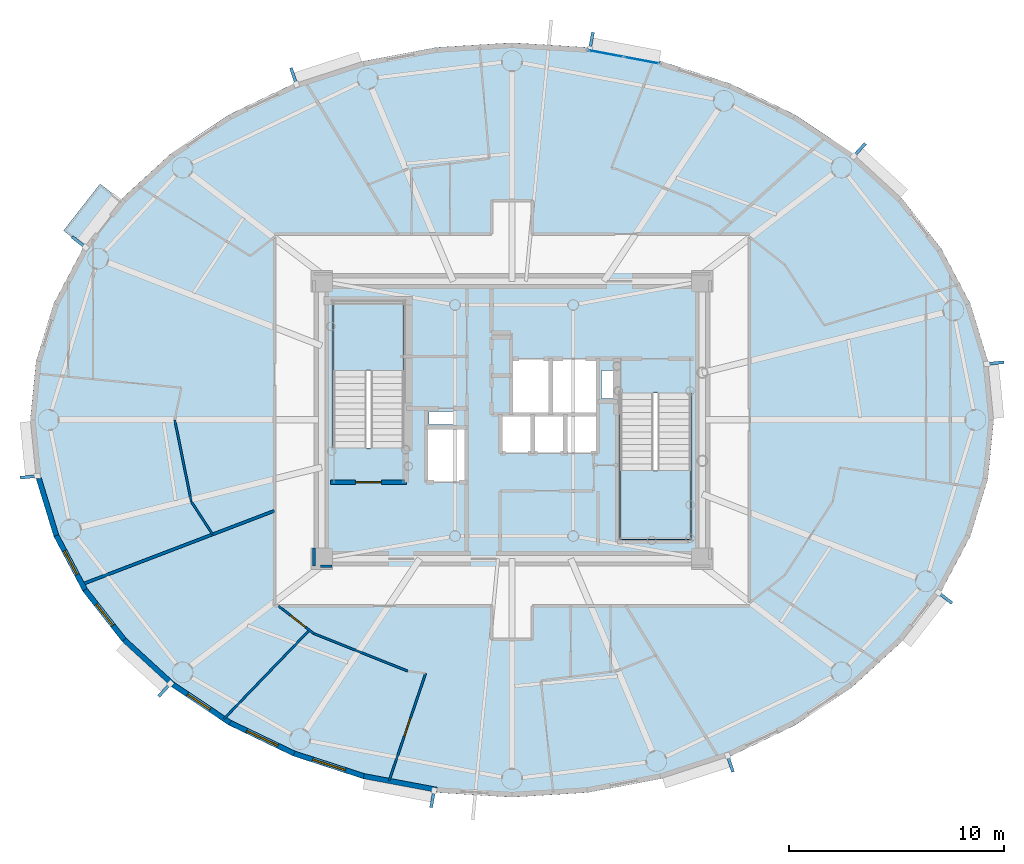
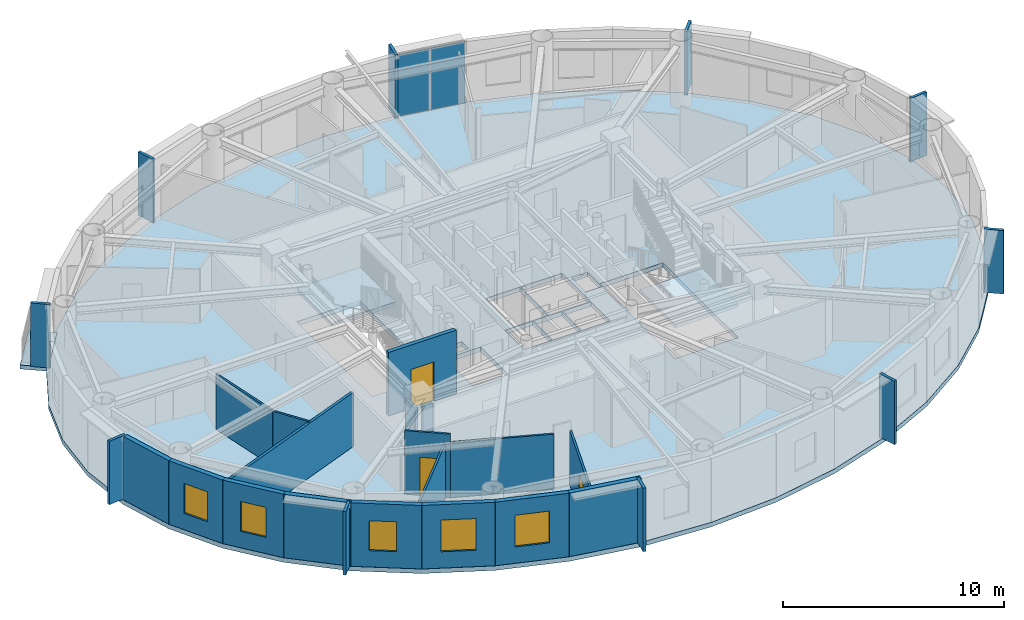
# One storey, part 5 of 17: 18 walls, 12 plates, 5 windows, 4 slabs, 3 doors, 8 openings, 3 elements without a shape of their own.
"""IFC4 building model written with IfcOpenShell, lengths in metres."""

from ifc_helpers import new_model, si_unit, direction, frame, frame_2d, origin, origin_2d, place, context, subcontext, project, spatial, polyline, rectangle, outline, extrude, source, transform, mapped, material, layer, layer_set, type_object, element, fill, aggregate, save


model = new_model("IFC4")

# Units and contexts
model_context = context("Model", 3, precision=1e-05, world=origin(), true_north=direction((0.0, 1.0)))
body_context = subcontext(model_context, "Body", "Model", "MODEL_VIEW")
ifc_project = project(units=[si_unit("LENGTHUNIT", "METRE"), si_unit("AREAUNIT", "SQUARE_METRE"), si_unit("VOLUMEUNIT", "CUBIC_METRE"), si_unit("PLANEANGLEUNIT", "RADIAN"), si_unit("MASSUNIT", "GRAM", prefix="KILO")], contexts=[model_context])

# Site, building, storey
site_placement = place(None, origin())
site = spatial("IfcSite", under=ifc_project, at=site_placement, CompositionType="ELEMENT")
building_placement = place(site_placement, origin())
building = spatial("IfcBuilding", under=site, at=building_placement, Name="Linh Dai School and Residence Tower", CompositionType="ELEMENT")
storey_placement = place(building_placement, frame((0.0, 0.0, 284.25)))
storey = spatial("IfcBuildingStorey", under=building, at=storey_placement, Name="L70", CompositionType="ELEMENT", Elevation=284.25)

# Slabs
ifc_material_1 = material(Name="Concrete B45 (C35/45)", Category="concrete")
ifc_layer_1 = layer(ifc_material_1, 0.219970703125)
ifc_layer_set_1 = layer_set([ifc_layer_1], Name="Concrete B45 (C35/45)")
slab_type_1 = type_object("IfcSlabType", Name="SLB-BALC-220", PredefinedType="FLOOR", material=ifc_layer_set_1)
slab_1_placement = place(storey_placement, frame((0.0, 0.0, -0.219970703125)))
element("IfcSlab", 1, at=slab_1_placement, inside=storey, type_object=slab_type_1, Name="L70 Sliding Balcony Slab 17", PredefinedType="FLOOR", context=body_context, shape_type="SweptSolid", body=[
    extrude(outline(polyline([(16.17236328125, 35.001220703125), (17.87255859375, 37.173828125), (16.848876953125, 37.974853515625), (15.148681640625, 35.802490234375), (16.17236328125, 35.001220703125)])), origin(), (0.0, 0.0, 1.0), 0.219970703125),
])
ifc_layer_2 = layer(ifc_material_1, 0.25)
ifc_layer_set_2 = layer_set([ifc_layer_2], Name="Concrete B45 (C35/45)")
slab_type_2 = type_object("IfcSlabType", Name="SLB-FLR250", PredefinedType="FLOOR", material=ifc_layer_set_2)
slab_2_placement = place(storey_placement, frame((0.0, 0.0, -0.25)))
element("IfcSlab", 2, at=slab_2_placement, inside=storey, type_object=slab_type_2, Name="L70 Composite Structural Floor Slab", PredefinedType="FLOOR", context=body_context, shape_type="SweptSolid", body=[
    extrude(outline(polyline([(58.39990234375, 27.0), (58.124267578125, 29.743896484375), (57.3037109375, 32.420166015625), (55.95849609375, 34.962890625), (54.1220703125, 37.309814453125), (51.839111328125, 39.402587890625), (49.16650390625, 41.190185546875), (46.16943359375, 42.628173828125), (42.921875, 43.681640625), (39.504150390625, 44.323974609375), (36.0, 44.5400390625), (32.495849609375, 44.323974609375), (29.078125, 43.681640625), (25.83056640625, 42.628173828125), (22.83349609375, 41.190185546875), (20.160888671875, 39.402587890625), (17.8779296875, 37.309814453125), (16.04150390625, 34.962890625), (14.6962890625, 32.420166015625), (13.875732421875, 29.743896484375), (13.60009765625, 27.0), (13.875732421875, 24.256103515625), (14.6962890625, 21.579833984375), (16.04150390625, 19.037109375), (17.8779296875, 16.690185546875), (20.160888671875, 14.597412109375), (22.83349609375, 12.809814453125), (25.83056640625, 11.371826171875), (29.078125, 10.318359375), (32.495849609375, 9.676025390625), (36.0, 9.4599609375), (39.504150390625, 9.676025390625), (42.921875, 10.318359375), (46.16943359375, 11.371826171875), (49.16650390625, 12.809814453125), (51.839111328125, 14.597412109375), (54.1220703125, 16.690185546875), (55.95849609375, 19.037109375), (57.3037109375, 21.579833984375), (58.124267578125, 24.256103515625), (58.39990234375, 27.0)]), holes=[polyline([(30.97998046875, 25.699951171875), (30.97998046875, 32.5), (27.679931640625, 32.5), (27.679931640625, 25.699951171875), (30.97998046875, 25.699951171875)]), polyline([(41.02001953125, 28.25), (41.02001953125, 21.449951171875), (44.320068359375, 21.449951171875), (44.320068359375, 28.25), (41.02001953125, 28.25)]), polyline([(35.97998046875, 27.280029296875), (37.77001953125, 27.280029296875), (37.77001953125, 29.820068359375), (35.97998046875, 29.820068359375), (35.97998046875, 27.280029296875)]), polyline([(32.030029296875, 24.1298828125), (33.8701171875, 24.1298828125), (33.8701171875, 26.6201171875), (32.030029296875, 26.6201171875), (32.030029296875, 24.1298828125)]), polyline([(37.830078125, 27.280029296875), (39.969970703125, 27.280029296875), (39.969970703125, 29.820068359375), (37.830078125, 29.820068359375), (37.830078125, 27.280029296875)]), polyline([(35.47998046875, 25.47998046875), (36.929931640625, 25.47998046875), (36.929931640625, 27.219970703125), (35.47998046875, 27.219970703125), (35.47998046875, 25.47998046875)]), polyline([(36.989990234375, 25.47998046875), (38.449951171875, 25.47998046875), (38.449951171875, 27.219970703125), (36.989990234375, 27.219970703125), (36.989990234375, 25.47998046875)]), polyline([(38.510009765625, 25.47998046875), (39.969970703125, 25.47998046875), (39.969970703125, 27.219970703125), (38.510009765625, 27.219970703125), (38.510009765625, 25.47998046875)]), polyline([(40.14990234375, 28.0), (40.14990234375, 29.300048828125), (41.0, 29.300048828125), (41.0, 28.280029296875), (40.989990234375, 28.280029296875), (40.989990234375, 28.0), (40.14990234375, 28.0)]), polyline([(32.14990234375, 26.800048828125), (33.35009765625, 26.800048828125), (33.35009765625, 27.39990234375), (32.14990234375, 27.39990234375), (32.14990234375, 26.800048828125)])]), origin(), (0.0, 0.0, 1.0), 0.25),
])

# Stair, slab
stair_type = type_object("IfcStairType", Name="ST-DOG-1550-R1442", PredefinedType="HALF_TURN_STAIR", material=ifc_material_1)
stair_1_placement = place(storey_placement, origin())
stair_1 = element("IfcStair", 3, at=stair_1_placement, inside=storey, type_object=stair_type, Name="L70 Core Smokeproof Exit Stair ST1", PredefinedType="HALF_TURN_STAIR")
ifc_layer_3 = layer(ifc_material_1, 0.199951171875)
ifc_layer_set_3 = layer_set([ifc_layer_3], Name="Concrete B45 (C35/45)")
slab_type_3 = type_object("IfcSlabType", Name="SLB-ST-LANDING-200", PredefinedType="LANDING", material=ifc_layer_set_3)
slab_3_placement = place(storey_placement, frame((0.0, 0.0, 1.675048828125)))
slab_3 = element("IfcSlab", 4, at=slab_3_placement, type_object=slab_type_3, Name="ST1 landing 1", PredefinedType="LANDING", context=body_context, shape_type="SweptSolid", body=[
    extrude(outline(polyline([(30.97998046875, 29.300048828125), (30.97998046875, 32.5), (27.679931640625, 32.5), (27.679931640625, 29.300048828125), (30.97998046875, 29.300048828125)])), origin(), (0.0, 0.0, 1.0), 0.199951171875),
])
aggregate(stair_1, [slab_3])

stair_2_placement = place(storey_placement, origin())
stair_2 = element("IfcStair", 5, at=stair_2_placement, inside=storey, type_object=stair_type, Name="L70 Core Smokeproof Exit Stair ST2", PredefinedType="HALF_TURN_STAIR")
slab_4_placement = place(storey_placement, frame((0.0, 0.0, 1.675048828125)))
slab_4 = element("IfcSlab", 6, at=slab_4_placement, type_object=slab_type_3, Name="ST2 landing 1", PredefinedType="LANDING", context=body_context, shape_type="SweptSolid", body=[
    extrude(outline(polyline([(41.02001953125, 24.64990234375), (41.02001953125, 21.449951171875), (44.320068359375, 21.449951171875), (44.320068359375, 24.64990234375), (41.02001953125, 24.64990234375)])), origin(), (0.0, 0.0, 1.0), 0.199951171875),
])
aggregate(stair_2, [slab_4])

# Plates
ifc_material_2 = material(Name="Precast Concrete B45 (C35/45)", Category="concrete")
ifc_layer_4 = layer(ifc_material_2, 0.139892578125)
ifc_layer_set_4 = layer_set([ifc_layer_4], Name="Precast Concrete B45 (C35/45)")
plate_type_1 = type_object("IfcPlateType", Name="FIN-TC-900x140", PredefinedType="USERDEFINED", material=ifc_layer_set_4)
shared_shape_1 = source(origin(), body_context, "Body", "SweptSolid", [
    extrude(rectangle(XDim=0.89990234375, YDim=0.139892578125, at=origin_2d()), origin(), (0.0, 0.0, 1.0), 3.5),
])
for number, where, z_axis, x_axis, name in (
    (7, (58.421630859375, 29.640625, 0.0), (0.0, 0.0, 1.0), (0.994986629598, 0.100008034283, 0.0), "L70 Precast Terracotta Radial Fin 01"),
    (8, (52.127685546875, 39.525390625, 0.0), (0.0, 0.0, 1.0), (0.67577730889, 0.737105846394, 0.0), "L70 Precast Terracotta Radial Fin 05"),
    (9, (39.682373046875, 44.580810546875, 0.0), (0.0, 0.0, 1.0), (0.184751197452, 0.982785325002, 0.0), "L70 Precast Terracotta Radial Fin 09"),
    (10, (25.864501953125, 42.939208984375, 0.0), (0.0, 0.0, 1.0), (-0.308518805176, 0.951218243545, 0.0), "L70 Precast Terracotta Radial Fin 13"),
    (11, (15.897216796875, 35.241943359375, 0.0), (0.0, 0.0, 1.0), (-0.78750300393, 0.616310813471, 0.0), "L70 Precast Terracotta Radial Fin 17"),
    (12, (13.578369140625, 24.359375, 0.0), (0.0, 0.0, 1.0), (-0.994986629598, -0.100008034283, 0.0), "L70 Precast Terracotta Radial Fin 21"),
    (13, (19.872314453125, 14.474609375, 0.0), (0.0, 0.0, 1.0), (-0.675779074535, -0.737104227651, 0.0), "L70 Precast Terracotta Radial Fin 25"),
    (14, (32.317626953125, 9.419189453125, 0.0), (0.0, 0.0, 1.0), (-0.184751197452, -0.982785325002, 0.0), "L70 Precast Terracotta Radial Fin 29"),
    (15, (46.135498046875, 11.060791015625, 0.0), (0.0, 0.0, 1.0), (0.308518805176, -0.951218243545, 0.0), "L70 Precast Terracotta Radial Fin 33"),
    (16, (56.102783203125, 18.758056640625, 0.0), (0.0, 0.0, 1.0), (0.78750300393, -0.616310813471, 0.0), "L70 Precast Terracotta Radial Fin 37"),
):
    element("IfcPlate", number, at=place(storey_placement, frame(where, z_axis=z_axis, x_axis=x_axis)), inside=storey, type_object=plate_type_1, Name=name, ObjectType="RADIAL FIN", PredefinedType="USERDEFINED", context=body_context, shape_type="MappedRepresentation", body=[
        mapped(shared_shape_1, transform((0.0, 0.0, 0.0), x_axis=(1.0, 0.0, 0.0), y_axis=(0.0, 1.0, 0.0), z_axis=(0.0, 0.0, 1.0), scale=1.0)),
    ])

# Curtain wall, plates
ifc_material_3 = material(Name="Aluminium Anodised Curtain Wall", Category="aluminium")
ifc_layer_5 = layer(ifc_material_3, 0.14990234375)
ifc_layer_set_5 = layer_set([ifc_layer_5], Name="Aluminium Anodised Curtain Wall")
curtain_wall_type = type_object("IfcCurtainWallType", Name="CW-SYS-4", PredefinedType="USERDEFINED", material=ifc_layer_set_5)
curtain_wall_placement = place(storey_placement, origin())
curtain_wall = element("IfcCurtainWall", 17, at=curtain_wall_placement, inside=storey, type_object=curtain_wall_type, Name="L70 CW4 Curtain Wall 09", ObjectType="RIBBON CURTAIN WALL", PredefinedType="USERDEFINED")
ifc_material_4 = material(Name="Double Low-E Insulated Glazing", Category="glass")
ifc_layer_6 = layer(ifc_material_4, 0.02587890625)
ifc_layer_set_6 = layer_set([ifc_layer_6], Name="Double Low-E Insulated Glazing")
plate_type_2 = type_object("IfcPlateType", Name="CW-SYS-4-PAN", PredefinedType="CURTAIN_PANEL", material=ifc_layer_set_6)
shared_shape_2 = source(origin(), body_context, "Body", "SweptSolid", [
    extrude(rectangle(XDim=1.653076171875, YDim=0.02587890625, at=origin_2d()), origin(), (0.0, 0.0, 1.0), 3.39599609375),
])
plate_1_placement = place(storey_placement, frame((40.35205078125, 44.03759765625, 0.052001953125), z_axis=(0.0, 0.0, 1.0), x_axis=(0.982785325002, -0.184751197452, 0.0)))
plate_1 = element("IfcPlate", 18, at=plate_1_placement, type_object=plate_type_2, Name="CW4 panel 1.1", PredefinedType="CURTAIN_PANEL", context=body_context, shape_type="MappedRepresentation", body=[
    mapped(shared_shape_2, transform((0.0, 0.0, 0.0), x_axis=(1.0, 0.0, 0.0), y_axis=(0.0, 1.0, 0.0), z_axis=(0.0, 0.0, 1.0), scale=1.0)),
])
plate_2_placement = place(storey_placement, frame((42.02783203125, 43.72265625, 0.052001953125), z_axis=(0.0, 0.0, 1.0), x_axis=(0.982785325002, -0.184751197452, 0.0)))
plate_2 = element("IfcPlate", 19, at=plate_2_placement, type_object=plate_type_2, Name="CW4 panel 2.1", PredefinedType="CURTAIN_PANEL", context=body_context, shape_type="MappedRepresentation", body=[
    mapped(shared_shape_2, transform((0.0, 0.0, 0.0), x_axis=(1.0, 0.0, 0.0), y_axis=(0.0, 1.0, 0.0), z_axis=(0.0, 0.0, 1.0), scale=1.0)),
])
aggregate(curtain_wall, [plate_1, plate_2])

# Wall
ifc_layer_7 = layer(ifc_material_2, 0.239990234375)
ifc_layer_set_7 = layer_set([ifc_layer_7], Name="Precast Concrete B45 (C35/45)")
wall_type_1 = type_object("IfcWallType", Name="EW-TC-240", PredefinedType="SOLIDWALL", material=ifc_layer_set_7)
wall_1_placement = place(storey_placement, frame((14.811767578125, 21.627685546875, 0.0), z_axis=(0.0, 0.0, 1.0), x_axis=(-0.2931213403, 0.956075248012, 0.0)))
element("IfcWall", 20, at=wall_1_placement, inside=storey, type_object=wall_type_1, Name="L70 Terracotta Exterior Wall 22", PredefinedType="SOLIDWALL", context=body_context, shape_type="SweptSolid", body=[
    extrude(rectangle(XDim=2.775146484375, YDim=0.239990234375, at=frame_2d((1.3876953125, 0.0))), origin(), (0.0, 0.0, 1.0), 3.5),
])

# Wall, opening, window
wall_2_placement = place(storey_placement, frame((16.146240234375, 19.105224609375, 0.0), z_axis=(0.0, 0.0, 1.0), x_axis=(-0.467628269026, 0.883925224218, 0.0)))
wall_2 = element("IfcWall", 21, at=wall_2_placement, inside=storey, type_object=wall_type_1, Name="L70 Terracotta Exterior Wall 23", PredefinedType="SOLIDWALL", context=body_context, shape_type="SweptSolid", body=[
    extrude(rectangle(XDim=2.853759765625, YDim=0.239990234375, at=frame_2d((1.4267578125, 0.0))), origin(), (0.0, 0.0, 1.0), 3.5),
])
opening_1_placement = place(wall_2_placement, frame((0.802001953125, 0.0, 0.89990234375)))
opening_1 = element("IfcOpeningElement", 22, at=opening_1_placement, cuts=wall_2, Name="Opening W3", PredefinedType="OPENING", context=body_context, shape_type="SweptSolid", body=[
    extrude(rectangle(XDim=1.25, YDim=1.64990234375, at=origin_2d()), frame((0.625, 0.1298828125, 0.824951171875), z_axis=(0.0, -1.0, 0.0), x_axis=(1.0, 0.0, 0.0)), (0.0, 0.0, 1.0), 0.260009765625),
])
window_type_1 = type_object("IfcWindowType", Name="WN-RES-1250x1650", PartitioningType="SINGLE_PANEL", PredefinedType="WINDOW", material=ifc_material_4)
shared_shape_3 = source(origin(), body_context, "Body", "SweptSolid", [
    extrude(rectangle(XDim=1.25, YDim=1.64990234375, at=origin_2d()), frame((0.625, 0.030029296875, 0.824951171875), z_axis=(0.0, -1.0, 0.0), x_axis=(1.0, 0.0, 0.0)), (0.0, 0.0, 1.0), 0.06005859375),
])
window_1_placement = place(opening_1_placement, origin())
window_1 = element("IfcWindow", 23, at=window_1_placement, inside=storey, type_object=window_type_1, Name="L70 Dwelling Window U7002-BD2", OverallHeight=1.64990234375, OverallWidth=1.25, PartitioningType="SINGLE_PANEL", PredefinedType="WINDOW", context=body_context, shape_type="MappedRepresentation", body=[
    mapped(shared_shape_3, transform((0.0, 0.0, 0.0), x_axis=(1.0, 0.0, 0.0), y_axis=(0.0, 1.0, 0.0), z_axis=(0.0, 0.0, 1.0), scale=1.0)),
])
fill(opening_1, window_1)

wall_3_placement = place(storey_placement, frame((17.9697265625, 16.775390625, 0.0), z_axis=(0.0, 0.0, 1.0), x_axis=(-0.616337186556, 0.787482363275, 0.0)))
wall_3 = element("IfcWall", 24, at=wall_3_placement, inside=storey, type_object=wall_type_1, Name="L70 Terracotta Exterior Wall 24", PredefinedType="SOLIDWALL", context=body_context, shape_type="SweptSolid", body=[
    extrude(rectangle(XDim=2.95849609375, YDim=0.239990234375, at=frame_2d((1.479248046875, 0.0))), origin(), (0.0, 0.0, 1.0), 3.5),
])
opening_2_placement = place(wall_3_placement, frame((0.85400390625, 0.0, 0.89990234375)))
opening_2 = element("IfcOpeningElement", 25, at=opening_2_placement, cuts=wall_3, Name="Opening W3", PredefinedType="OPENING", context=body_context, shape_type="SweptSolid", body=[
    extrude(rectangle(XDim=1.25, YDim=1.64990234375, at=origin_2d()), frame((0.625, 0.1298828125, 0.824951171875), z_axis=(0.0, -1.0, 0.0), x_axis=(1.0, 0.0, 0.0)), (0.0, 0.0, 1.0), 0.260009765625),
])
window_2_placement = place(opening_2_placement, origin())
window_2 = element("IfcWindow", 26, at=window_2_placement, inside=storey, type_object=window_type_1, Name="L70 Exterior Window 24.1", OverallHeight=1.64990234375, OverallWidth=1.25, PartitioningType="SINGLE_PANEL", PredefinedType="WINDOW", context=body_context, shape_type="MappedRepresentation", body=[
    mapped(shared_shape_3, transform((0.0, 0.0, 0.0), x_axis=(1.0, 0.0, 0.0), y_axis=(0.0, 1.0, 0.0), z_axis=(0.0, 0.0, 1.0), scale=1.0)),
])
fill(opening_2, window_2)

# Wall
wall_4_placement = place(storey_placement, frame((20.23779296875, 14.69580078125, 0.0), z_axis=(0.0, 0.0, 1.0), x_axis=(-0.737068506972, 0.675818034703, 0.0)))
element("IfcWall", 27, at=wall_4_placement, inside=storey, type_object=wall_type_1, Name="L70 Terracotta Exterior Wall 25", PredefinedType="SOLIDWALL", context=body_context, shape_type="SweptSolid", body=[
    extrude(rectangle(XDim=3.0771484375, YDim=0.239990234375, at=frame_2d((1.53857421875, 0.0))), origin(), (0.0, 0.0, 1.0), 3.5),
])

# Wall, opening, window
wall_5_placement = place(storey_placement, frame((22.8955078125, 12.91845703125, 0.0), z_axis=(0.0, 0.0, 1.0), x_axis=(-0.831250592635, 0.55589787933, 0.0)))
wall_5 = element("IfcWall", 28, at=wall_5_placement, inside=storey, type_object=wall_type_1, Name="L70 Terracotta Exterior Wall 26", PredefinedType="SOLIDWALL", context=body_context, shape_type="SweptSolid", body=[
    extrude(rectangle(XDim=3.197265625, YDim=0.239990234375, at=frame_2d((1.5986328125, 0.0))), origin(), (0.0, 0.0, 1.0), 3.5),
])
opening_3_placement = place(wall_5_placement, frame((1.12890625, 0.0, 0.89990234375)))
opening_3 = element("IfcOpeningElement", 29, at=opening_3_placement, cuts=wall_5, Name="Opening W3", PredefinedType="OPENING", context=body_context, shape_type="SweptSolid", body=[
    extrude(rectangle(XDim=1.25, YDim=1.64990234375, at=origin_2d()), frame((0.625, 0.1298828125, 0.824951171875), z_axis=(0.0, -1.0, 0.0), x_axis=(1.0, 0.0, 0.0)), (0.0, 0.0, 1.0), 0.260009765625),
])
window_3_placement = place(opening_3_placement, origin())
window_3 = element("IfcWindow", 30, at=window_3_placement, inside=storey, type_object=window_type_1, Name="L70 Exterior Window 26.1", OverallHeight=1.64990234375, OverallWidth=1.25, PartitioningType="SINGLE_PANEL", PredefinedType="WINDOW", context=body_context, shape_type="MappedRepresentation", body=[
    mapped(shared_shape_3, transform((0.0, 0.0, 0.0), x_axis=(1.0, 0.0, 0.0), y_axis=(0.0, 1.0, 0.0), z_axis=(0.0, 0.0, 1.0), scale=1.0)),
])
fill(opening_3, window_3)

wall_6_placement = place(storey_placement, frame((25.876953125, 11.48779296875, 0.0), z_axis=(0.0, 0.0, 1.0), x_axis=(-0.901573741254, 0.43262546051, 0.0)))
wall_6 = element("IfcWall", 31, at=wall_6_placement, inside=storey, type_object=wall_type_1, Name="L70 Terracotta Exterior Wall 27", PredefinedType="SOLIDWALL", context=body_context, shape_type="SweptSolid", body=[
    extrude(rectangle(XDim=3.306884765625, YDim=0.239990234375, at=frame_2d((1.6533203125, 0.0))), origin(), (0.0, 0.0, 1.0), 3.5),
])
opening_4_placement = place(wall_6_placement, frame((0.853271484375, 0.0, 0.89990234375)))
opening_4 = element("IfcOpeningElement", 32, at=opening_4_placement, cuts=wall_6, Name="Opening W2", PredefinedType="OPENING", context=body_context, shape_type="SweptSolid", body=[
    extrude(rectangle(XDim=1.60009765625, YDim=1.75, at=origin_2d()), frame((0.800048828125, 0.1298828125, 0.875), z_axis=(0.0, -1.0, 0.0), x_axis=(1.0, 0.0, 0.0)), (0.0, 0.0, 1.0), 0.260009765625),
])
window_type_2 = type_object("IfcWindowType", Name="WN-RES-1600x1750", PartitioningType="DOUBLE_PANEL_VERTICAL", PredefinedType="WINDOW", material=ifc_material_4)
shared_shape_4 = source(origin(), body_context, "Body", "SweptSolid", [
    extrude(rectangle(XDim=1.60009765625, YDim=1.75, at=origin_2d()), frame((0.800048828125, 0.030029296875, 0.875), z_axis=(0.0, -1.0, 0.0), x_axis=(1.0, 0.0, 0.0)), (0.0, 0.0, 1.0), 0.06005859375),
])
window_4_placement = place(opening_4_placement, origin())
window_4 = element("IfcWindow", 33, at=window_4_placement, inside=storey, type_object=window_type_2, Name="L70 Exterior Window 27.1", OverallHeight=1.75, OverallWidth=1.60009765625, PartitioningType="DOUBLE_PANEL_VERTICAL", PredefinedType="WINDOW", context=body_context, shape_type="MappedRepresentation", body=[
    mapped(shared_shape_4, transform((0.0, 0.0, 0.0), x_axis=(1.0, 0.0, 0.0), y_axis=(0.0, 1.0, 0.0), z_axis=(0.0, 0.0, 1.0), scale=1.0)),
])
fill(opening_4, window_4)

wall_7_placement = place(storey_placement, frame((29.10888671875, 10.439697265625, 0.0), z_axis=(0.0, 0.0, 1.0), x_axis=(-0.95123136723, 0.308478339592, 0.0)))
wall_7 = element("IfcWall", 34, at=wall_7_placement, inside=storey, type_object=wall_type_1, Name="L70 Terracotta Exterior Wall 28", PredefinedType="SOLIDWALL", context=body_context, shape_type="SweptSolid", body=[
    extrude(rectangle(XDim=3.397705078125, YDim=0.239990234375, at=frame_2d((1.69873046875, 0.0))), origin(), (0.0, 0.0, 1.0), 3.5),
])
opening_5_placement = place(wall_7_placement, frame((0.898681640625, 0.0, 0.89990234375)))
opening_5 = element("IfcOpeningElement", 35, at=opening_5_placement, cuts=wall_7, Name="Opening W2", PredefinedType="OPENING", context=body_context, shape_type="SweptSolid", body=[
    extrude(rectangle(XDim=1.60009765625, YDim=1.75, at=origin_2d()), frame((0.800048828125, 0.1298828125, 0.875), z_axis=(0.0, -1.0, 0.0), x_axis=(1.0, 0.0, 0.0)), (0.0, 0.0, 1.0), 0.260009765625),
])
window_5_placement = place(opening_5_placement, origin())
window_5 = element("IfcWindow", 36, at=window_5_placement, inside=storey, type_object=window_type_2, Name="L70 Exterior Window 28.1", OverallHeight=1.75, OverallWidth=1.60009765625, PartitioningType="DOUBLE_PANEL_VERTICAL", PredefinedType="WINDOW", context=body_context, shape_type="MappedRepresentation", body=[
    mapped(shared_shape_4, transform((0.0, 0.0, 0.0), x_axis=(1.0, 0.0, 0.0), y_axis=(0.0, 1.0, 0.0), z_axis=(0.0, 0.0, 1.0), scale=1.0)),
])
fill(opening_5, window_5)

# Walls
wall_8_placement = place(storey_placement, frame((32.51123046875, 9.800048828125, 0.0), z_axis=(0.0, 0.0, 1.0), x_axis=(-0.982782655757, 0.184765395959, 0.0)))
element("IfcWall", 37, at=wall_8_placement, inside=storey, type_object=wall_type_1, Name="L70 Terracotta Exterior Wall 29", PredefinedType="SOLIDWALL", context=body_context, shape_type="SweptSolid", body=[
    extrude(rectangle(XDim=3.4619140625, YDim=0.239990234375, at=frame_2d((1.73095703125, 0.0))), origin(), (0.0, 0.0, 1.0), 3.5),
])
ifc_material_5 = material(Name="Autoclaved Aerated Concrete Blockwork", Category="masonry")
ifc_layer_8 = layer(ifc_material_5, 0.135009765625)
ifc_layer_set_8 = layer_set([ifc_layer_8], Name="Autoclaved Aerated Concrete Blockwork")
wall_type_2 = type_object("IfcWallType", Name="IW-CORR-135-EI90", PredefinedType="PARTITIONING", material=ifc_layer_set_8)
wall_9_placement = place(storey_placement, frame((16.0068359375, 19.35791015625, 0.0), z_axis=(0.0, 0.0, 1.0), x_axis=(0.934094110355, 0.35702687994, 0.0)))
element("IfcWall", 38, at=wall_9_placement, inside=storey, type_object=wall_type_2, Name="L70 Interior Partition Wall 003", PredefinedType="PARTITIONING", context=body_context, shape_type="SweptSolid", body=[
    extrude(rectangle(XDim=9.57421875, YDim=0.135009765625, at=frame_2d((4.787109375, 0.0))), origin(), (0.0, 0.0, 1.0), 2.985107421875),
])
wall_10_placement = place(storey_placement, frame((26.800048828125, 21.0400390625, 0.0), z_axis=(0.0, 0.0, 1.0), x_axis=(0.0, -1.0, 0.0)))
element("IfcWall", 39, at=wall_10_placement, inside=storey, type_object=wall_type_2, Name="L70 Interior Partition Wall 089", PredefinedType="PARTITIONING", context=body_context, shape_type="SweptSolid", body=[
    extrude(rectangle(XDim=0.840087890625, YDim=0.135009765625, at=frame_2d((0.419921875, 0.0))), origin(), (0.0, 0.0, 1.0), 3.034912109375),
])
wall_11_placement = place(storey_placement, frame((27.107421875, 20.199951171875, 0.0), z_axis=(0.0, 0.0, 1.0), x_axis=(1.0, 0.0, 0.0)))
element("IfcWall", 40, at=wall_11_placement, inside=storey, type_object=wall_type_2, Name="L70 Interior Partition Wall 090", PredefinedType="PARTITIONING", context=body_context, shape_type="SweptSolid", body=[
    extrude(rectangle(XDim=0.532470703125, YDim=0.135009765625, at=frame_2d((0.26611328125, 0.0))), origin(), (0.0, 0.0, 1.0), 3.034912109375),
])

# Wall, opening, door
ifc_layer_9 = layer(ifc_material_1, 0.199951171875)
ifc_layer_set_9 = layer_set([ifc_layer_9], Name="Concrete B45 (C35/45)")
wall_type_3 = type_object("IfcWallType", Name="IW-SHAFT-200-EI120", PredefinedType="PARTITIONING", material=ifc_layer_set_9)
wall_12_placement = place(storey_placement, frame((27.56005859375, 24.10009765625, 0.0), z_axis=(0.0, 0.0, 1.0), x_axis=(1.0, 0.0, 0.0)))
wall_12 = element("IfcWall", 41, at=wall_12_placement, inside=storey, type_object=wall_type_3, Name="L70 Interior Partition Wall 017", PredefinedType="PARTITIONING", context=body_context, shape_type="SweptSolid", body=[
    extrude(rectangle(XDim=3.5400390625, YDim=0.199951171875, at=frame_2d((1.77001953125, 0.0))), origin(), (0.0, 0.0, 1.0), 3.5),
])
opening_6_placement = place(wall_12_placement, frame((1.169921875, 0.0, 0.0)))
opening_6 = element("IfcOpeningElement", 42, at=opening_6_placement, cuts=wall_12, Name="Opening D01", PredefinedType="OPENING", context=body_context, shape_type="SweptSolid", body=[
    extrude(rectangle(XDim=1.199951171875, YDim=2.14990234375, at=origin_2d()), frame((0.60009765625, 0.10986328125, 1.074951171875), z_axis=(0.0, -1.0, 0.0), x_axis=(1.0, 0.0, 0.0)), (0.0, 0.0, 1.0), 0.219970703125),
])
ifc_material_6 = material(Name="Fire-Rated Steel Door Leaf", Category="steel")
door_type_1 = type_object("IfcDoorType", Name="DR-STAIR-1200x2150-FD90S", OperationType="NOTDEFINED", PredefinedType="DOOR", material=ifc_material_6)
shared_shape_5 = source(origin(), body_context, "Body", "SweptSolid", [
    extrude(rectangle(XDim=1.199951171875, YDim=2.14990234375, at=origin_2d()), frame((0.60009765625, 0.02490234375, 1.074951171875), z_axis=(0.0, -1.0, 0.0), x_axis=(1.0, 0.0, 0.0)), (0.0, 0.0, 1.0), 0.050048828125),
])
door_1_placement = place(opening_6_placement, origin())
door_1 = element("IfcDoor", 43, at=door_1_placement, inside=storey, type_object=door_type_1, Name="L70 Core Smokeproof Exit Stair ST1 Door", OperationType="SINGLE_SWING_RIGHT", OverallHeight=2.14990234375, OverallWidth=1.199951171875, PredefinedType="DOOR", context=body_context, shape_type="MappedRepresentation", body=[
    mapped(shared_shape_5, transform((0.0, 0.0, 0.0), x_axis=(1.0, 0.0, 0.0), y_axis=(0.0, 1.0, 0.0), z_axis=(0.0, 0.0, 1.0), scale=1.0)),
])
fill(opening_6, door_1)

# Walls
ifc_material_7 = material(Name="Gypsum Plasterboard Acoustic Stud Partition", Category="masonry")
ifc_layer_10 = layer(ifc_material_7, 0.10009765625)
ifc_layer_set_10 = layer_set([ifc_layer_10], Name="Gypsum Plasterboard Acoustic Stud Partition")
wall_type_4 = type_object("IfcWallType", Name="IW-UNIT-100", PredefinedType="PARTITIONING", material=ifc_layer_set_10)
wall_13_placement = place(storey_placement, frame((20.320068359375, 27.0, 0.0), z_axis=(0.0, 0.0, 1.0), x_axis=(0.198226068862, -0.980156327135, 0.0)))
element("IfcWall", 44, at=wall_13_placement, inside=storey, type_object=wall_type_4, Name="L70 Interior Partition Wall 007", PredefinedType="PARTITIONING", context=body_context, shape_type="SweptSolid", body=[
    extrude(rectangle(XDim=3.87109375, YDim=0.10009765625, at=frame_2d((1.935546875, 0.0))), origin(), (0.0, 0.0, 1.0), 3.034912109375),
])
wall_14_placement = place(storey_placement, frame((21.08740234375, 23.205810546875, 0.0), z_axis=(0.0, 0.0, 1.0), x_axis=(0.545384128846, -0.838186227519, 0.0)))
element("IfcWall", 45, at=wall_14_placement, inside=storey, type_object=wall_type_4, Name="L70 Interior Partition Wall 008", PredefinedType="PARTITIONING", context=body_context, shape_type="SweptSolid", body=[
    extrude(rectangle(XDim=1.821044921875, YDim=0.10009765625, at=frame_2d((0.91064453125, 0.0))), origin(), (0.0, 0.0, 1.0), 3.034912109375),
])
wall_15_placement = place(storey_placement, frame((22.607177734375, 13.105224609375, 0.0), z_axis=(0.0, 0.0, 1.0), x_axis=(0.693978480191, 0.71999574237, 0.0)))
element("IfcWall", 46, at=wall_15_placement, inside=storey, type_object=wall_type_4, Name="L70 Interior Partition Wall 009", PredefinedType="PARTITIONING", context=body_context, shape_type="SweptSolid", body=[
    extrude(rectangle(XDim=5.72412109375, YDim=0.10009765625, at=frame_2d((2.862060546875, 0.0))), origin(), (0.0, 0.0, 1.0), 2.985107421875),
])

# Wall, opening, door
wall_16_placement = place(storey_placement, frame((25.144775390625, 18.35009765625, 0.0), z_axis=(0.0, 0.0, 1.0), x_axis=(0.787326747019, -0.616535962803, 0.0)))
wall_16 = element("IfcWall", 47, at=wall_16_placement, inside=storey, type_object=wall_type_4, Name="L70 Interior Partition Wall 014", PredefinedType="PARTITIONING", context=body_context, shape_type="SweptSolid", body=[
    extrude(rectangle(XDim=2.081298828125, YDim=0.10009765625, at=frame_2d((1.04052734375, 0.0))), origin(), (0.0, 0.0, 1.0), 3.5),
])
opening_7_placement = place(wall_16_placement, frame((0.69775390625, 0.0, 0.0)))
opening_7 = element("IfcOpeningElement", 48, at=opening_7_placement, cuts=wall_16, Name="Opening D05", PredefinedType="OPENING", context=body_context, shape_type="SweptSolid", body=[
    extrude(rectangle(XDim=0.89990234375, YDim=2.10009765625, at=origin_2d()), frame((0.449951171875, 0.06005859375, 1.050048828125), z_axis=(0.0, -1.0, 0.0), x_axis=(1.0, 0.0, 0.0)), (0.0, 0.0, 1.0), 0.1201171875),
])
ifc_material_8 = material(Name="Engineered Timber Internal Door", Category="wood")
door_type_2 = type_object("IfcDoorType", Name="DR-INT-900x2100", OperationType="NOTDEFINED", PredefinedType="DOOR", material=ifc_material_8)
shared_shape_6 = source(origin(), body_context, "Body", "SweptSolid", [
    extrude(rectangle(XDim=0.89990234375, YDim=2.10009765625, at=origin_2d()), frame((0.449951171875, 0.02490234375, 1.050048828125), z_axis=(0.0, -1.0, 0.0), x_axis=(1.0, 0.0, 0.0)), (0.0, 0.0, 1.0), 0.050048828125),
])
door_2_placement = place(opening_7_placement, origin())
door_2 = element("IfcDoor", 49, at=door_2_placement, inside=storey, type_object=door_type_2, Name="L70 Apartment U7003 Principal Bedroom 1 Door", OperationType="SINGLE_SWING_LEFT", OverallHeight=2.10009765625, OverallWidth=0.89990234375, PredefinedType="DOOR", context=body_context, shape_type="MappedRepresentation", body=[
    mapped(shared_shape_6, transform((0.0, 0.0, 0.0), x_axis=(1.0, 0.0, 0.0), y_axis=(0.0, 1.0, 0.0), z_axis=(0.0, 0.0, 1.0), scale=1.0)),
])
fill(opening_7, door_2)

# Wall
wall_17_placement = place(storey_placement, frame((26.783447265625, 17.06689453125, 0.0), z_axis=(0.0, 0.0, 1.0), x_axis=(0.928809047774, -0.370558703544, 0.0)))
element("IfcWall", 50, at=wall_17_placement, inside=storey, type_object=wall_type_4, Name="L70 Interior Partition Wall 016", PredefinedType="PARTITIONING", context=body_context, shape_type="SweptSolid", body=[
    extrude(rectangle(XDim=4.7060546875, YDim=0.10009765625, at=frame_2d((2.35302734375, 0.0))), origin(), (0.0, 0.0, 1.0), 3.034912109375),
])

# Wall, opening, door
wall_18_placement = place(storey_placement, frame((30.281982421875, 10.2138671875, 0.0), z_axis=(0.0, 0.0, 1.0), x_axis=(0.322425759237, 0.946594754782, 0.0)))
wall_18 = element("IfcWall", 51, at=wall_18_placement, inside=storey, type_object=wall_type_4, Name="L70 Interior Partition Wall 019", PredefinedType="PARTITIONING", context=body_context, shape_type="SweptSolid", body=[
    extrude(rectangle(XDim=5.288330078125, YDim=0.10009765625, at=frame_2d((2.64404296875, 0.0))), origin(), (0.0, 0.0, 1.0), 2.985107421875),
])
opening_8_placement = place(wall_18_placement, frame((2.194091796875, 0.0, 0.0)))
opening_8 = element("IfcOpeningElement", 52, at=opening_8_placement, cuts=wall_18, Name="Opening D05", PredefinedType="OPENING", context=body_context, shape_type="SweptSolid", body=[
    extrude(rectangle(XDim=0.89990234375, YDim=2.10009765625, at=origin_2d()), frame((0.449951171875, 0.06005859375, 1.050048828125), z_axis=(0.0, -1.0, 0.0), x_axis=(1.0, 0.0, 0.0)), (0.0, 0.0, 1.0), 0.1201171875),
])
door_3_placement = place(opening_8_placement, origin())
door_3 = element("IfcDoor", 53, at=door_3_placement, inside=storey, type_object=door_type_2, Name="L70 Apartment U7003 Bedroom 2 Door", OperationType="SINGLE_SWING_RIGHT", OverallHeight=2.10009765625, OverallWidth=0.89990234375, PredefinedType="DOOR", context=body_context, shape_type="MappedRepresentation", body=[
    mapped(shared_shape_6, transform((0.0, 0.0, 0.0), x_axis=(1.0, 0.0, 0.0), y_axis=(0.0, 1.0, 0.0), z_axis=(0.0, 0.0, 1.0), scale=1.0)),
])
fill(opening_8, door_3)

save(model, "model.ifc")
